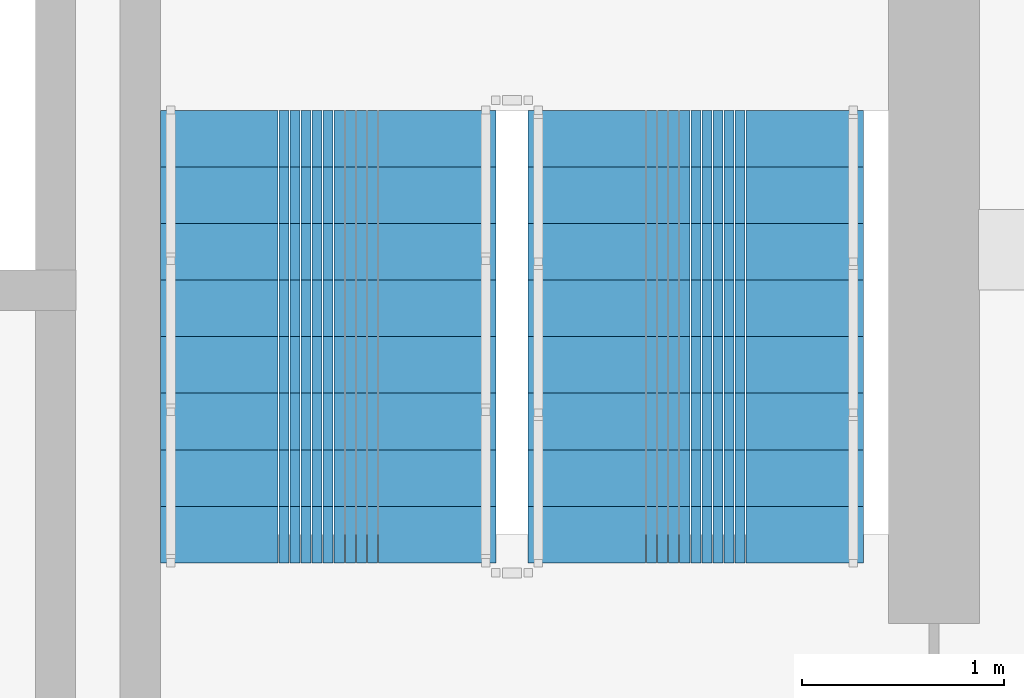
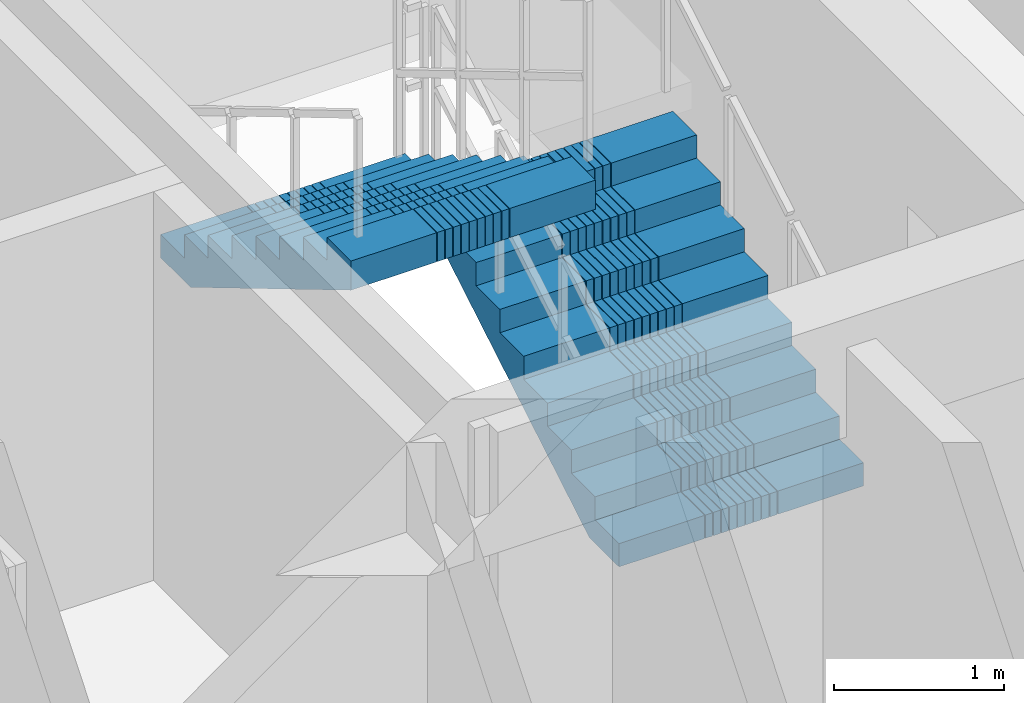
# One storey, part 7 of 12: 2 stair flights, 1 element without a shape of its own.
"""IFC4 building model written with IfcOpenShell, lengths in metres."""

from ifc_helpers import new_model, si_unit, direction, frame, origin, place, context, subcontext, project, spatial, polyline, outline, extrude, material, type_object, element, aggregate, save


model = new_model("IFC4")

# Units and contexts
model_context = context("Model", 3, precision=1e-05, world=origin(), true_north=direction((0.0, 1.0)))
body_context = subcontext(model_context, "Body", "Model", "MODEL_VIEW")
ifc_project = project(units=[si_unit("LENGTHUNIT", "METRE"), si_unit("AREAUNIT", "SQUARE_METRE"), si_unit("VOLUMEUNIT", "CUBIC_METRE"), si_unit("PLANEANGLEUNIT", "RADIAN"), si_unit("MASSUNIT", "GRAM", prefix="KILO")], contexts=[model_context])

# Site, building, storey
site_placement = place(None, origin())
site = spatial("IfcSite", under=ifc_project, at=site_placement, CompositionType="ELEMENT")
building_placement = place(site_placement, origin())
building = spatial("IfcBuilding", under=site, at=building_placement, Name="Saelheon Loggia Tower", CompositionType="ELEMENT")
storey_placement = place(building_placement, frame((0.0, 0.0, 240.0)))
storey = spatial("IfcBuildingStorey", under=building, at=storey_placement, Name="L74", CompositionType="ELEMENT", Elevation=240.0)

# Stair, stair flights
ifc_material = material(Name="Concrete C40/50", Category="concrete")
stair_type = type_object("IfcStairType", Name="Stair_Escape_Core", PredefinedType="HALF_TURN_STAIR", material=ifc_material)
stair_placement = place(storey_placement, origin())
stair = element("IfcStair", 1, at=stair_placement, inside=storey, type_object=stair_type, Name="L74 Special Escape Stair ST2", PredefinedType="HALF_TURN_STAIR")
stair_flight_type = type_object("IfcStairFlightType", Name="StairFlight_Tower_1660", PredefinedType="STRAIGHT", material=ifc_material)
stair_flight_1_placement = place(storey_placement, frame((43.320068359375, 30.449951171875, 0.0), z_axis=(0.0, 0.0, 1.0), x_axis=(0.0, 1.0, 0.0)))
stair_flight_1 = element("IfcStairFlight", 2, at=stair_flight_1_placement, type_object=stair_flight_type, Name="ST2 flight 1", NumberOfRisers=9, NumberOfTreads=8, PredefinedType="STRAIGHT", RiserHeight=0.166666667, TreadLength=0.28, context=body_context, shape_type="SweptSolid", body=[
    extrude(outline(polyline([(0.0, 0.0), (0.0, 0.166748046875), (0.280029296875, 0.166748046875), (0.280029296875, 0.333251953125), (0.56005859375, 0.333251953125), (0.56005859375, 0.5), (0.840087890625, 0.5), (0.840087890625, 0.666748046875), (1.1201171875, 0.666748046875), (1.1201171875, 0.833251953125), (1.39990234375, 0.833251953125), (1.39990234375, 1.0), (1.679931640625, 1.0), (1.679931640625, 1.166748046875), (1.9599609375, 1.166748046875), (1.9599609375, 1.333251953125), (2.239990234375, 1.333251953125), (2.239990234375, 1.5), (2.239990234375, 1.1240234375), (0.351806640625, 0.0), (0.0, 0.0)])), frame((0.0, -0.2490234375, 0.0), z_axis=(0.0, -1.0, 0.0), x_axis=(1.0, 0.0, 0.0)), (0.0, 0.0, 1.0), 0.5810546875),
    extrude(outline(polyline([(0.0, 0.0), (0.0, 0.166748046875), (0.280029296875, 0.166748046875), (0.280029296875, 0.333251953125), (0.56005859375, 0.333251953125), (0.56005859375, 0.5), (0.840087890625, 0.5), (0.840087890625, 0.666748046875), (1.1201171875, 0.666748046875), (1.1201171875, 0.833251953125), (1.39990234375, 0.833251953125), (1.39990234375, 1.0), (1.679931640625, 1.0), (1.679931640625, 1.166748046875), (1.9599609375, 1.166748046875), (1.9599609375, 1.333251953125), (2.239990234375, 1.333251953125), (2.239990234375, 1.5), (2.239990234375, 1.1240234375), (0.351806640625, 0.0), (0.0, 0.0)])), frame((0.0, -0.194091796875, 0.0), z_axis=(0.0, -1.0, 0.0), x_axis=(1.0, 0.0, 0.0)), (0.0, 0.0, 1.0), 0.0498046875),
    extrude(outline(polyline([(0.0, 0.0), (0.0, 0.166748046875), (0.280029296875, 0.166748046875), (0.280029296875, 0.333251953125), (0.56005859375, 0.333251953125), (0.56005859375, 0.5), (0.840087890625, 0.5), (0.840087890625, 0.666748046875), (1.1201171875, 0.666748046875), (1.1201171875, 0.833251953125), (1.39990234375, 0.833251953125), (1.39990234375, 1.0), (1.679931640625, 1.0), (1.679931640625, 1.166748046875), (1.9599609375, 1.166748046875), (1.9599609375, 1.333251953125), (2.239990234375, 1.333251953125), (2.239990234375, 1.5), (2.239990234375, 1.1240234375), (0.351806640625, 0.0), (0.0, 0.0)])), frame((0.0, -0.139404296875, 0.0), z_axis=(0.0, -1.0, 0.0), x_axis=(1.0, 0.0, 0.0)), (0.0, 0.0, 1.0), 0.0498046875),
    extrude(outline(polyline([(0.0, 0.0), (0.0, 0.166748046875), (0.280029296875, 0.166748046875), (0.280029296875, 0.333251953125), (0.56005859375, 0.333251953125), (0.56005859375, 0.5), (0.840087890625, 0.5), (0.840087890625, 0.666748046875), (1.1201171875, 0.666748046875), (1.1201171875, 0.833251953125), (1.39990234375, 0.833251953125), (1.39990234375, 1.0), (1.679931640625, 1.0), (1.679931640625, 1.166748046875), (1.9599609375, 1.166748046875), (1.9599609375, 1.333251953125), (2.239990234375, 1.333251953125), (2.239990234375, 1.5), (2.239990234375, 1.1240234375), (0.351806640625, 0.0), (0.0, 0.0)])), frame((0.0, -0.084716796875, 0.0), z_axis=(0.0, -1.0, 0.0), x_axis=(1.0, 0.0, 0.0)), (0.0, 0.0, 1.0), 0.0498046875),
    extrude(outline(polyline([(0.0, 0.0), (0.0, 0.166748046875), (0.280029296875, 0.166748046875), (0.280029296875, 0.333251953125), (0.56005859375, 0.333251953125), (0.56005859375, 0.5), (0.840087890625, 0.5), (0.840087890625, 0.666748046875), (1.1201171875, 0.666748046875), (1.1201171875, 0.833251953125), (1.39990234375, 0.833251953125), (1.39990234375, 1.0), (1.679931640625, 1.0), (1.679931640625, 1.166748046875), (1.9599609375, 1.166748046875), (1.9599609375, 1.333251953125), (2.239990234375, 1.333251953125), (2.239990234375, 1.5), (2.239990234375, 1.1240234375), (0.351806640625, 0.0), (0.0, 0.0)])), frame((0.0, -0.02978515625, 0.0), z_axis=(0.0, -1.0, 0.0), x_axis=(1.0, 0.0, 0.0)), (0.0, 0.0, 1.0), 0.0498046875),
    extrude(outline(polyline([(0.0, 0.0), (0.0, 0.166748046875), (0.280029296875, 0.166748046875), (0.280029296875, 0.333251953125), (0.56005859375, 0.333251953125), (0.56005859375, 0.5), (0.840087890625, 0.5), (0.840087890625, 0.666748046875), (1.1201171875, 0.666748046875), (1.1201171875, 0.833251953125), (1.39990234375, 0.833251953125), (1.39990234375, 1.0), (1.679931640625, 1.0), (1.679931640625, 1.166748046875), (1.9599609375, 1.166748046875), (1.9599609375, 1.333251953125), (2.239990234375, 1.333251953125), (2.239990234375, 1.5), (2.239990234375, 1.1240234375), (0.351806640625, 0.0), (0.0, 0.0)])), frame((0.0, 0.02490234375, 0.0), z_axis=(0.0, -1.0, 0.0), x_axis=(1.0, 0.0, 0.0)), (0.0, 0.0, 1.0), 0.0498046875),
    extrude(outline(polyline([(0.0, 0.0), (0.0, 0.166748046875), (0.280029296875, 0.166748046875), (0.280029296875, 0.333251953125), (0.56005859375, 0.333251953125), (0.56005859375, 0.5), (0.840087890625, 0.5), (0.840087890625, 0.666748046875), (1.1201171875, 0.666748046875), (1.1201171875, 0.833251953125), (1.39990234375, 0.833251953125), (1.39990234375, 1.0), (1.679931640625, 1.0), (1.679931640625, 1.166748046875), (1.9599609375, 1.166748046875), (1.9599609375, 1.333251953125), (2.239990234375, 1.333251953125), (2.239990234375, 1.5), (2.239990234375, 1.1240234375), (0.351806640625, 0.0), (0.0, 0.0)])), frame((0.0, 0.07958984375, 0.0), z_axis=(0.0, -1.0, 0.0), x_axis=(1.0, 0.0, 0.0)), (0.0, 0.0, 1.0), 0.0498046875),
    extrude(outline(polyline([(0.0, 0.0), (0.0, 0.166748046875), (0.280029296875, 0.166748046875), (0.280029296875, 0.333251953125), (0.56005859375, 0.333251953125), (0.56005859375, 0.5), (0.840087890625, 0.5), (0.840087890625, 0.666748046875), (1.1201171875, 0.666748046875), (1.1201171875, 0.833251953125), (1.39990234375, 0.833251953125), (1.39990234375, 1.0), (1.679931640625, 1.0), (1.679931640625, 1.166748046875), (1.9599609375, 1.166748046875), (1.9599609375, 1.333251953125), (2.239990234375, 1.333251953125), (2.239990234375, 1.5), (2.239990234375, 1.1240234375), (0.351806640625, 0.0), (0.0, 0.0)])), frame((0.0, 0.134521484375, 0.0), z_axis=(0.0, -1.0, 0.0), x_axis=(1.0, 0.0, 0.0)), (0.0, 0.0, 1.0), 0.0498046875),
    extrude(outline(polyline([(0.0, 0.0), (0.0, 0.166748046875), (0.280029296875, 0.166748046875), (0.280029296875, 0.333251953125), (0.56005859375, 0.333251953125), (0.56005859375, 0.5), (0.840087890625, 0.5), (0.840087890625, 0.666748046875), (1.1201171875, 0.666748046875), (1.1201171875, 0.833251953125), (1.39990234375, 0.833251953125), (1.39990234375, 1.0), (1.679931640625, 1.0), (1.679931640625, 1.166748046875), (1.9599609375, 1.166748046875), (1.9599609375, 1.333251953125), (2.239990234375, 1.333251953125), (2.239990234375, 1.5), (2.239990234375, 1.1240234375), (0.351806640625, 0.0), (0.0, 0.0)])), frame((0.0, 0.189208984375, 0.0), z_axis=(0.0, -1.0, 0.0), x_axis=(1.0, 0.0, 0.0)), (0.0, 0.0, 1.0), 0.0498046875),
    extrude(outline(polyline([(0.0, 0.0), (0.0, 0.166748046875), (0.280029296875, 0.166748046875), (0.280029296875, 0.333251953125), (0.56005859375, 0.333251953125), (0.56005859375, 0.5), (0.840087890625, 0.5), (0.840087890625, 0.666748046875), (1.1201171875, 0.666748046875), (1.1201171875, 0.833251953125), (1.39990234375, 0.833251953125), (1.39990234375, 1.0), (1.679931640625, 1.0), (1.679931640625, 1.166748046875), (1.9599609375, 1.166748046875), (1.9599609375, 1.333251953125), (2.239990234375, 1.333251953125), (2.239990234375, 1.5), (2.239990234375, 1.1240234375), (0.351806640625, 0.0), (0.0, 0.0)])), frame((0.0, 0.243896484375, 0.0), z_axis=(0.0, -1.0, 0.0), x_axis=(1.0, 0.0, 0.0)), (0.0, 0.0, 1.0), 0.0498046875),
    extrude(outline(polyline([(0.0, 0.0), (0.0, 0.166748046875), (0.280029296875, 0.166748046875), (0.280029296875, 0.333251953125), (0.56005859375, 0.333251953125), (0.56005859375, 0.5), (0.840087890625, 0.5), (0.840087890625, 0.666748046875), (1.1201171875, 0.666748046875), (1.1201171875, 0.833251953125), (1.39990234375, 0.833251953125), (1.39990234375, 1.0), (1.679931640625, 1.0), (1.679931640625, 1.166748046875), (1.9599609375, 1.166748046875), (1.9599609375, 1.333251953125), (2.239990234375, 1.333251953125), (2.239990234375, 1.5), (2.239990234375, 1.1240234375), (0.351806640625, 0.0), (0.0, 0.0)])), frame((0.0, 0.830078125, 0.0), z_axis=(0.0, -1.0, 0.0), x_axis=(1.0, 0.0, 0.0)), (0.0, 0.0, 1.0), 0.5810546875),
])
stair_flight_2_placement = place(storey_placement, frame((41.5, 32.68994140625, 1.5), z_axis=(0.0, 0.0, 1.0), x_axis=(0.0, -1.0, 0.0)))
stair_flight_2 = element("IfcStairFlight", 3, at=stair_flight_2_placement, type_object=stair_flight_type, Name="ST2 flight 2", NumberOfRisers=9, NumberOfTreads=8, PredefinedType="STRAIGHT", RiserHeight=0.166666667, TreadLength=0.28, context=body_context, shape_type="SweptSolid", body=[
    extrude(outline(polyline([(0.0, 0.0), (0.0, 0.166748046875), (0.280029296875, 0.166748046875), (0.280029296875, 0.333251953125), (0.56005859375, 0.333251953125), (0.56005859375, 0.5), (0.840087890625, 0.5), (0.840087890625, 0.666748046875), (1.1201171875, 0.666748046875), (1.1201171875, 0.833251953125), (1.39990234375, 0.833251953125), (1.39990234375, 1.0), (1.679931640625, 1.0), (1.679931640625, 1.166748046875), (1.9599609375, 1.166748046875), (1.9599609375, 1.333251953125), (2.239990234375, 1.333251953125), (2.239990234375, 1.5), (2.239990234375, 1.1240234375), (0.351806640625, 0.0), (0.0, 0.0)])), frame((0.0, -0.2490234375, 0.0), z_axis=(0.0, -1.0, 0.0), x_axis=(1.0, 0.0, 0.0)), (0.0, 0.0, 1.0), 0.5810546875),
    extrude(outline(polyline([(0.0, 0.0), (0.0, 0.166748046875), (0.280029296875, 0.166748046875), (0.280029296875, 0.333251953125), (0.56005859375, 0.333251953125), (0.56005859375, 0.5), (0.840087890625, 0.5), (0.840087890625, 0.666748046875), (1.1201171875, 0.666748046875), (1.1201171875, 0.833251953125), (1.39990234375, 0.833251953125), (1.39990234375, 1.0), (1.679931640625, 1.0), (1.679931640625, 1.166748046875), (1.9599609375, 1.166748046875), (1.9599609375, 1.333251953125), (2.239990234375, 1.333251953125), (2.239990234375, 1.5), (2.239990234375, 1.1240234375), (0.351806640625, 0.0), (0.0, 0.0)])), frame((0.0, -0.194091796875, 0.0), z_axis=(0.0, -1.0, 0.0), x_axis=(1.0, 0.0, 0.0)), (0.0, 0.0, 1.0), 0.0498046875),
    extrude(outline(polyline([(0.0, 0.0), (0.0, 0.166748046875), (0.280029296875, 0.166748046875), (0.280029296875, 0.333251953125), (0.56005859375, 0.333251953125), (0.56005859375, 0.5), (0.840087890625, 0.5), (0.840087890625, 0.666748046875), (1.1201171875, 0.666748046875), (1.1201171875, 0.833251953125), (1.39990234375, 0.833251953125), (1.39990234375, 1.0), (1.679931640625, 1.0), (1.679931640625, 1.166748046875), (1.9599609375, 1.166748046875), (1.9599609375, 1.333251953125), (2.239990234375, 1.333251953125), (2.239990234375, 1.5), (2.239990234375, 1.1240234375), (0.351806640625, 0.0), (0.0, 0.0)])), frame((0.0, -0.139404296875, 0.0), z_axis=(0.0, -1.0, 0.0), x_axis=(1.0, 0.0, 0.0)), (0.0, 0.0, 1.0), 0.0498046875),
    extrude(outline(polyline([(0.0, 0.0), (0.0, 0.166748046875), (0.280029296875, 0.166748046875), (0.280029296875, 0.333251953125), (0.56005859375, 0.333251953125), (0.56005859375, 0.5), (0.840087890625, 0.5), (0.840087890625, 0.666748046875), (1.1201171875, 0.666748046875), (1.1201171875, 0.833251953125), (1.39990234375, 0.833251953125), (1.39990234375, 1.0), (1.679931640625, 1.0), (1.679931640625, 1.166748046875), (1.9599609375, 1.166748046875), (1.9599609375, 1.333251953125), (2.239990234375, 1.333251953125), (2.239990234375, 1.5), (2.239990234375, 1.1240234375), (0.351806640625, 0.0), (0.0, 0.0)])), frame((0.0, -0.084716796875, 0.0), z_axis=(0.0, -1.0, 0.0), x_axis=(1.0, 0.0, 0.0)), (0.0, 0.0, 1.0), 0.0498046875),
    extrude(outline(polyline([(0.0, 0.0), (0.0, 0.166748046875), (0.280029296875, 0.166748046875), (0.280029296875, 0.333251953125), (0.56005859375, 0.333251953125), (0.56005859375, 0.5), (0.840087890625, 0.5), (0.840087890625, 0.666748046875), (1.1201171875, 0.666748046875), (1.1201171875, 0.833251953125), (1.39990234375, 0.833251953125), (1.39990234375, 1.0), (1.679931640625, 1.0), (1.679931640625, 1.166748046875), (1.9599609375, 1.166748046875), (1.9599609375, 1.333251953125), (2.239990234375, 1.333251953125), (2.239990234375, 1.5), (2.239990234375, 1.1240234375), (0.351806640625, 0.0), (0.0, 0.0)])), frame((0.0, -0.02978515625, 0.0), z_axis=(0.0, -1.0, 0.0), x_axis=(1.0, 0.0, 0.0)), (0.0, 0.0, 1.0), 0.0498046875),
    extrude(outline(polyline([(0.0, 0.0), (0.0, 0.166748046875), (0.280029296875, 0.166748046875), (0.280029296875, 0.333251953125), (0.56005859375, 0.333251953125), (0.56005859375, 0.5), (0.840087890625, 0.5), (0.840087890625, 0.666748046875), (1.1201171875, 0.666748046875), (1.1201171875, 0.833251953125), (1.39990234375, 0.833251953125), (1.39990234375, 1.0), (1.679931640625, 1.0), (1.679931640625, 1.166748046875), (1.9599609375, 1.166748046875), (1.9599609375, 1.333251953125), (2.239990234375, 1.333251953125), (2.239990234375, 1.5), (2.239990234375, 1.1240234375), (0.351806640625, 0.0), (0.0, 0.0)])), frame((0.0, 0.02490234375, 0.0), z_axis=(0.0, -1.0, 0.0), x_axis=(1.0, 0.0, 0.0)), (0.0, 0.0, 1.0), 0.0498046875),
    extrude(outline(polyline([(0.0, 0.0), (0.0, 0.166748046875), (0.280029296875, 0.166748046875), (0.280029296875, 0.333251953125), (0.56005859375, 0.333251953125), (0.56005859375, 0.5), (0.840087890625, 0.5), (0.840087890625, 0.666748046875), (1.1201171875, 0.666748046875), (1.1201171875, 0.833251953125), (1.39990234375, 0.833251953125), (1.39990234375, 1.0), (1.679931640625, 1.0), (1.679931640625, 1.166748046875), (1.9599609375, 1.166748046875), (1.9599609375, 1.333251953125), (2.239990234375, 1.333251953125), (2.239990234375, 1.5), (2.239990234375, 1.1240234375), (0.351806640625, 0.0), (0.0, 0.0)])), frame((0.0, 0.07958984375, 0.0), z_axis=(0.0, -1.0, 0.0), x_axis=(1.0, 0.0, 0.0)), (0.0, 0.0, 1.0), 0.0498046875),
    extrude(outline(polyline([(0.0, 0.0), (0.0, 0.166748046875), (0.280029296875, 0.166748046875), (0.280029296875, 0.333251953125), (0.56005859375, 0.333251953125), (0.56005859375, 0.5), (0.840087890625, 0.5), (0.840087890625, 0.666748046875), (1.1201171875, 0.666748046875), (1.1201171875, 0.833251953125), (1.39990234375, 0.833251953125), (1.39990234375, 1.0), (1.679931640625, 1.0), (1.679931640625, 1.166748046875), (1.9599609375, 1.166748046875), (1.9599609375, 1.333251953125), (2.239990234375, 1.333251953125), (2.239990234375, 1.5), (2.239990234375, 1.1240234375), (0.351806640625, 0.0), (0.0, 0.0)])), frame((0.0, 0.134521484375, 0.0), z_axis=(0.0, -1.0, 0.0), x_axis=(1.0, 0.0, 0.0)), (0.0, 0.0, 1.0), 0.0498046875),
    extrude(outline(polyline([(0.0, 0.0), (0.0, 0.166748046875), (0.280029296875, 0.166748046875), (0.280029296875, 0.333251953125), (0.56005859375, 0.333251953125), (0.56005859375, 0.5), (0.840087890625, 0.5), (0.840087890625, 0.666748046875), (1.1201171875, 0.666748046875), (1.1201171875, 0.833251953125), (1.39990234375, 0.833251953125), (1.39990234375, 1.0), (1.679931640625, 1.0), (1.679931640625, 1.166748046875), (1.9599609375, 1.166748046875), (1.9599609375, 1.333251953125), (2.239990234375, 1.333251953125), (2.239990234375, 1.5), (2.239990234375, 1.1240234375), (0.351806640625, 0.0), (0.0, 0.0)])), frame((0.0, 0.189208984375, 0.0), z_axis=(0.0, -1.0, 0.0), x_axis=(1.0, 0.0, 0.0)), (0.0, 0.0, 1.0), 0.0498046875),
    extrude(outline(polyline([(0.0, 0.0), (0.0, 0.166748046875), (0.280029296875, 0.166748046875), (0.280029296875, 0.333251953125), (0.56005859375, 0.333251953125), (0.56005859375, 0.5), (0.840087890625, 0.5), (0.840087890625, 0.666748046875), (1.1201171875, 0.666748046875), (1.1201171875, 0.833251953125), (1.39990234375, 0.833251953125), (1.39990234375, 1.0), (1.679931640625, 1.0), (1.679931640625, 1.166748046875), (1.9599609375, 1.166748046875), (1.9599609375, 1.333251953125), (2.239990234375, 1.333251953125), (2.239990234375, 1.5), (2.239990234375, 1.1240234375), (0.351806640625, 0.0), (0.0, 0.0)])), frame((0.0, 0.243896484375, 0.0), z_axis=(0.0, -1.0, 0.0), x_axis=(1.0, 0.0, 0.0)), (0.0, 0.0, 1.0), 0.0498046875),
    extrude(outline(polyline([(0.0, 0.0), (0.0, 0.166748046875), (0.280029296875, 0.166748046875), (0.280029296875, 0.333251953125), (0.56005859375, 0.333251953125), (0.56005859375, 0.5), (0.840087890625, 0.5), (0.840087890625, 0.666748046875), (1.1201171875, 0.666748046875), (1.1201171875, 0.833251953125), (1.39990234375, 0.833251953125), (1.39990234375, 1.0), (1.679931640625, 1.0), (1.679931640625, 1.166748046875), (1.9599609375, 1.166748046875), (1.9599609375, 1.333251953125), (2.239990234375, 1.333251953125), (2.239990234375, 1.5), (2.239990234375, 1.1240234375), (0.351806640625, 0.0), (0.0, 0.0)])), frame((0.0, 0.830078125, 0.0), z_axis=(0.0, -1.0, 0.0), x_axis=(1.0, 0.0, 0.0)), (0.0, 0.0, 1.0), 0.5810546875),
])
aggregate(stair, [stair_flight_1, stair_flight_2])

save(model, "model.ifc")
